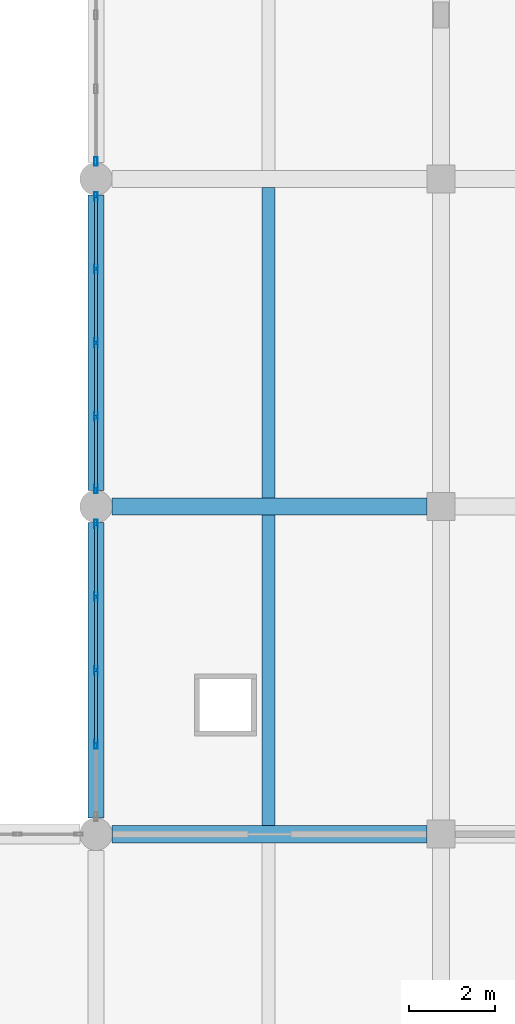
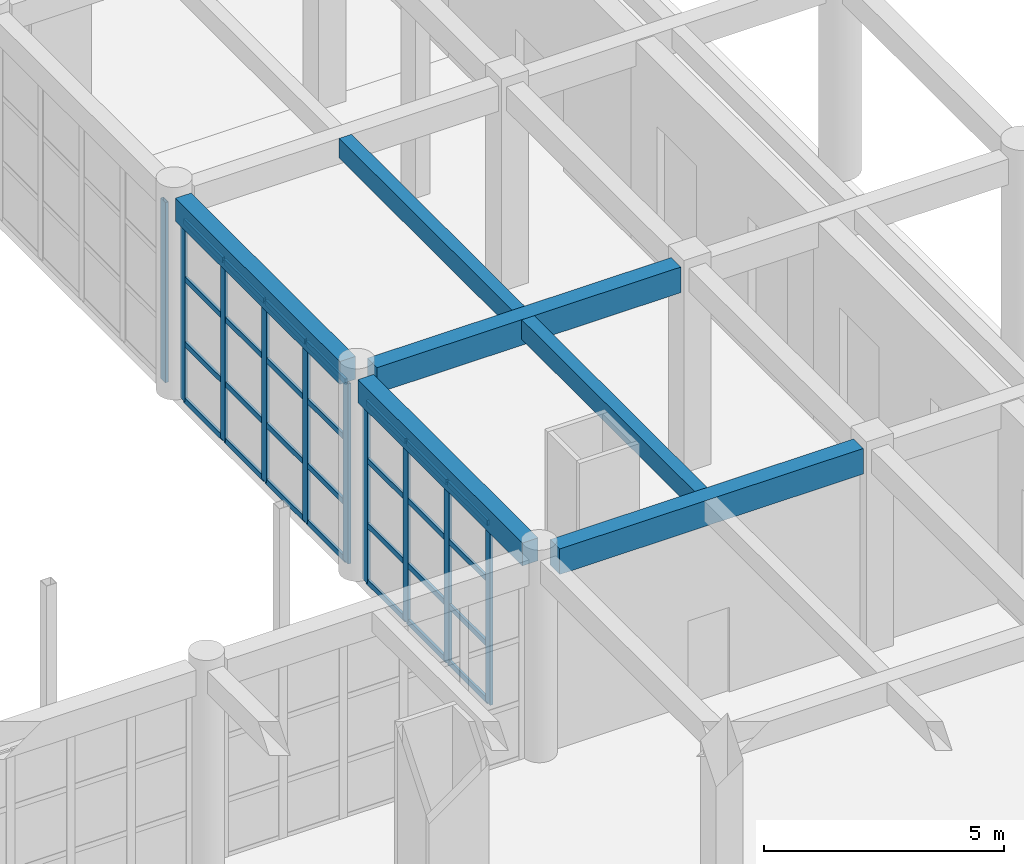
# One storey, part 51 of 95: 38 members, 6 beams, 3 elements without a shape of their own.
"""IFC4 building model written with IfcOpenShell, lengths in metres."""

from ifc_helpers import new_model, si_unit, direction, frame, origin, origin_2d, place, context, subcontext, project, spatial, rectangle, hollow_rectangle, extrude, material, material_profile, profile_set, type_object, element, aggregate, save


model = new_model("IFC4")

# Units and contexts
model_context = context("Model", 3, precision=1e-05, world=origin(), true_north=direction((0.0, 1.0)))
body_context = subcontext(model_context, "Body", "Model", "MODEL_VIEW")
ifc_project = project(units=[si_unit("LENGTHUNIT", "METRE"), si_unit("AREAUNIT", "SQUARE_METRE"), si_unit("VOLUMEUNIT", "CUBIC_METRE"), si_unit("PLANEANGLEUNIT", "RADIAN"), si_unit("MASSUNIT", "GRAM", prefix="KILO")], contexts=[model_context])

# Site, building, storey
site_placement = place(None, origin())
site = spatial("IfcSite", under=ifc_project, at=site_placement, CompositionType="ELEMENT")
building_placement = place(site_placement, origin())
building = spatial("IfcBuilding", under=site, at=building_placement, Name="Zantavel Square City Hall", CompositionType="ELEMENT")
storey_placement = place(building_placement, origin())
storey = spatial("IfcBuildingStorey", under=building, at=storey_placement, Name="L01", CompositionType="ELEMENT", Elevation=0.0)

# Beams
ifc_material_1 = material(Name="Concrete C35/45", Category="concrete")
ifc_material_profile_1 = material_profile(ifc_material_1, rectangle(XDim=0.3798828125, YDim=0.580078125, at=origin_2d()), Name="RC 380x580")
ifc_profile_set_1 = profile_set([ifc_material_profile_1], Name="Concrete C35/45")
beam_type_1 = type_object("IfcBeamType", Name="Annex Secondary Beam RC 380x580 C35/45", PredefinedType="BEAM", material=ifc_profile_set_1)
beam_1_placement = place(storey_placement, frame((152.0, 38.375, 4.8701171875), z_axis=(0.0, 1.0, 0.0), x_axis=(-1.0, 0.0, 0.0)))
element("IfcBeam", 1, at=beam_1_placement, inside=storey, type_object=beam_type_1, Name="L01 Beam BMY-L01-1520-0380", PredefinedType="BEAM", context=body_context, shape_type="SweptSolid", body=[
    extrude(rectangle(XDim=0.3798828125, YDim=0.580078125, at=origin_2d()), origin(), (0.0, 0.0, 1.0), 6.85009765625),
])
beam_2_placement = place(storey_placement, frame((152.0, 45.97509765625, 4.8701171875), z_axis=(0.0, 1.0, 0.0), x_axis=(-1.0, 0.0, 0.0)))
element("IfcBeam", 2, at=beam_2_placement, inside=storey, type_object=beam_type_1, Name="L01 Beam BMY-L01-1520-0456", PredefinedType="BEAM", context=body_context, shape_type="SweptSolid", body=[
    extrude(rectangle(XDim=0.3798828125, YDim=0.580078125, at=origin_2d()), origin(), (0.0, 0.0, 1.0), 6.849853515625),
])

# Curtain wall, members
ifc_material_2 = material(Name="Anodised aluminium 6063-T6", Category="aluminium")
curtain_wall_type = type_object("IfcCurtainWallType", Name="Curtain Wall CRT 6850x4580", PredefinedType="USERDEFINED", material=ifc_material_2)
curtain_wall_1_placement = place(storey_placement, origin())
curtain_wall_1 = element("IfcCurtainWall", 3, at=curtain_wall_1_placement, inside=storey, type_object=curtain_wall_type, Name="L01 Glazed Curtain Wall CW-L01-031", ObjectType="GLAZED CURTAIN WALL", PredefinedType="USERDEFINED")
ifc_material_profile_2 = material_profile(ifc_material_2, hollow_rectangle(XDim=0.070068359375, YDim=0.199951171875, WallThickness=0.00439453125, at=origin_2d()), Name="ALU 70x200x4.5")
ifc_profile_set_2 = profile_set([ifc_material_profile_2], Name="Anodised aluminium 6063-T6")
member_type_1 = type_object("IfcMemberType", Name="CW Heavy Hall Mullion ALU 70x200x4.5", PredefinedType="MULLION", material=ifc_profile_set_2)
member_1_placement = place(storey_placement, frame((152.0, 40.08740234375, 0.0), z_axis=(0.0, 0.0, 1.0), x_axis=(-1.0, 0.0, 0.0)))
member_1 = element("IfcMember", 4, at=member_1_placement, type_object=member_type_1, Name="CW-031 mullion 2", PredefinedType="MULLION", context=body_context, shape_type="SweptSolid", body=[
    extrude(hollow_rectangle(XDim=0.070068359375, YDim=0.199951171875, WallThickness=0.00439453125, at=origin_2d()), origin(), (0.0, 0.0, 1.0), 4.580078125),
])
member_2_placement = place(storey_placement, frame((152.0, 41.800048828125, 0.0), z_axis=(0.0, 0.0, 1.0), x_axis=(-1.0, 0.0, 0.0)))
member_2 = element("IfcMember", 5, at=member_2_placement, type_object=member_type_1, Name="CW-031 mullion 3", PredefinedType="MULLION", context=body_context, shape_type="SweptSolid", body=[
    extrude(hollow_rectangle(XDim=0.070068359375, YDim=0.199951171875, WallThickness=0.00439453125, at=origin_2d()), origin(), (0.0, 0.0, 1.0), 4.580078125),
])
member_3_placement = place(storey_placement, frame((152.0, 43.512451171875, 0.0), z_axis=(0.0, 0.0, 1.0), x_axis=(-1.0, 0.0, 0.0)))
member_3 = element("IfcMember", 6, at=member_3_placement, type_object=member_type_1, Name="CW-031 mullion 4", PredefinedType="MULLION", context=body_context, shape_type="SweptSolid", body=[
    extrude(hollow_rectangle(XDim=0.070068359375, YDim=0.199951171875, WallThickness=0.00439453125, at=origin_2d()), origin(), (0.0, 0.0, 1.0), 4.580078125),
])
member_4_placement = place(storey_placement, frame((152.0, 45.195068359375, 0.0), z_axis=(0.0, 0.0, 1.0), x_axis=(-1.0, 0.0, 0.0)))
member_4 = element("IfcMember", 7, at=member_4_placement, type_object=member_type_1, Name="CW-031 mullion 5", PredefinedType="MULLION", context=body_context, shape_type="SweptSolid", body=[
    extrude(hollow_rectangle(XDim=0.070068359375, YDim=0.199951171875, WallThickness=0.00439453125, at=origin_2d()), origin(), (0.0, 0.0, 1.0), 4.580078125),
])

curtain_wall_2_placement = place(storey_placement, origin())
curtain_wall_2 = element("IfcCurtainWall", 8, at=curtain_wall_2_placement, inside=storey, type_object=curtain_wall_type, Name="L01 Glazed Curtain Wall CW-L01-032", ObjectType="GLAZED CURTAIN WALL", PredefinedType="USERDEFINED")
member_5_placement = place(storey_placement, frame((152.0, 46.0048828125, 0.0), z_axis=(0.0, 0.0, 1.0), x_axis=(-1.0, 0.0, 0.0)))
member_5 = element("IfcMember", 9, at=member_5_placement, type_object=member_type_1, Name="CW-032 mullion 1", PredefinedType="MULLION", context=body_context, shape_type="SweptSolid", body=[
    extrude(hollow_rectangle(XDim=0.070068359375, YDim=0.199951171875, WallThickness=0.00439453125, at=origin_2d()), origin(), (0.0, 0.0, 1.0), 4.580078125),
])
member_6_placement = place(storey_placement, frame((152.0, 47.6875, 0.0), z_axis=(0.0, 0.0, 1.0), x_axis=(-1.0, 0.0, 0.0)))
member_6 = element("IfcMember", 10, at=member_6_placement, type_object=member_type_1, Name="CW-032 mullion 2", PredefinedType="MULLION", context=body_context, shape_type="SweptSolid", body=[
    extrude(hollow_rectangle(XDim=0.070068359375, YDim=0.199951171875, WallThickness=0.00439453125, at=origin_2d()), origin(), (0.0, 0.0, 1.0), 4.580078125),
])
member_7_placement = place(storey_placement, frame((152.0, 49.39990234375, 0.0), z_axis=(0.0, 0.0, 1.0), x_axis=(-1.0, 0.0, 0.0)))
member_7 = element("IfcMember", 11, at=member_7_placement, type_object=member_type_1, Name="CW-032 mullion 3", PredefinedType="MULLION", context=body_context, shape_type="SweptSolid", body=[
    extrude(hollow_rectangle(XDim=0.070068359375, YDim=0.199951171875, WallThickness=0.00439453125, at=origin_2d()), origin(), (0.0, 0.0, 1.0), 4.580078125),
])
member_8_placement = place(storey_placement, frame((152.0, 51.112548828125, 0.0), z_axis=(0.0, 0.0, 1.0), x_axis=(-1.0, 0.0, 0.0)))
member_8 = element("IfcMember", 12, at=member_8_placement, type_object=member_type_1, Name="CW-032 mullion 4", PredefinedType="MULLION", context=body_context, shape_type="SweptSolid", body=[
    extrude(hollow_rectangle(XDim=0.070068359375, YDim=0.199951171875, WallThickness=0.00439453125, at=origin_2d()), origin(), (0.0, 0.0, 1.0), 4.580078125),
])
member_9_placement = place(storey_placement, frame((152.0, 52.794921875, 0.0), z_axis=(0.0, 0.0, 1.0), x_axis=(-1.0, 0.0, 0.0)))
member_9 = element("IfcMember", 13, at=member_9_placement, type_object=member_type_1, Name="CW-032 mullion 5", PredefinedType="MULLION", context=body_context, shape_type="SweptSolid", body=[
    extrude(hollow_rectangle(XDim=0.070068359375, YDim=0.199951171875, WallThickness=0.00439453125, at=origin_2d()), origin(), (0.0, 0.0, 1.0), 4.580078125),
])

# Curtain wall, member
curtain_wall_3_placement = place(storey_placement, origin())
curtain_wall_3 = element("IfcCurtainWall", 14, at=curtain_wall_3_placement, inside=storey, type_object=curtain_wall_type, Name="L01 Glazed Curtain Wall CW-L01-033", ObjectType="GLAZED CURTAIN WALL", PredefinedType="USERDEFINED")
member_10_placement = place(storey_placement, frame((152.0, 53.60498046875, 0.0), z_axis=(0.0, 0.0, 1.0), x_axis=(-1.0, 0.0, 0.0)))
member_10 = element("IfcMember", 15, at=member_10_placement, type_object=member_type_1, Name="CW-033 mullion 1", PredefinedType="MULLION", context=body_context, shape_type="SweptSolid", body=[
    extrude(hollow_rectangle(XDim=0.070068359375, YDim=0.199951171875, WallThickness=0.00439453125, at=origin_2d()), origin(), (0.0, 0.0, 1.0), 4.580078125),
])
aggregate(curtain_wall_3, [member_10])

# Member
ifc_material_profile_3 = material_profile(ifc_material_2, hollow_rectangle(XDim=0.06005859375, YDim=0.139892578125, WallThickness=0.00390625, at=origin_2d()), Name="ALU 60x140x4")
ifc_profile_set_3 = profile_set([ifc_material_profile_3], Name="Anodised aluminium 6063-T6")
member_type_2 = type_object("IfcMemberType", Name="CW Transom ALU 60x140x4", PredefinedType="USERDEFINED", material=ifc_profile_set_3)
member_11_placement = place(storey_placement, frame((152.0, 40.117431640625, 0.030029296875), z_axis=(0.0, 1.0, 0.0), x_axis=(-1.0, 0.0, 0.0)))
member_11 = element("IfcMember", 16, at=member_11_placement, type_object=member_type_2, Name="CW-031 transom 2.1", ObjectType="TRANSOM", PredefinedType="USERDEFINED", context=body_context, shape_type="SweptSolid", body=[
    extrude(hollow_rectangle(XDim=0.06005859375, YDim=0.139892578125, WallThickness=0.00390625, at=origin_2d()), origin(), (0.0, 0.0, 1.0), 1.652587890625),
])

member_12_placement = place(storey_placement, frame((152.0, 40.117431640625, 1.466064453125), z_axis=(0.0, 1.0, 0.0), x_axis=(-1.0, 0.0, 0.0)))
member_12 = element("IfcMember", 17, at=member_12_placement, type_object=member_type_2, Name="CW-031 transom 2.2", ObjectType="TRANSOM", PredefinedType="USERDEFINED", context=body_context, shape_type="SweptSolid", body=[
    extrude(hollow_rectangle(XDim=0.06005859375, YDim=0.139892578125, WallThickness=0.00390625, at=origin_2d()), origin(), (0.0, 0.0, 1.0), 1.652587890625),
])

member_13_placement = place(storey_placement, frame((152.0, 40.117431640625, 3.114013671875), z_axis=(0.0, 1.0, 0.0), x_axis=(-1.0, 0.0, 0.0)))
member_13 = element("IfcMember", 18, at=member_13_placement, type_object=member_type_2, Name="CW-031 transom 2.3", ObjectType="TRANSOM", PredefinedType="USERDEFINED", context=body_context, shape_type="SweptSolid", body=[
    extrude(hollow_rectangle(XDim=0.06005859375, YDim=0.139892578125, WallThickness=0.00390625, at=origin_2d()), origin(), (0.0, 0.0, 1.0), 1.652587890625),
])

member_14_placement = place(storey_placement, frame((152.0, 40.117431640625, 4.550048828125), z_axis=(0.0, 1.0, 0.0), x_axis=(-1.0, 0.0, 0.0)))
member_14 = element("IfcMember", 19, at=member_14_placement, type_object=member_type_2, Name="CW-031 transom 2.4", ObjectType="TRANSOM", PredefinedType="USERDEFINED", context=body_context, shape_type="SweptSolid", body=[
    extrude(hollow_rectangle(XDim=0.06005859375, YDim=0.139892578125, WallThickness=0.00390625, at=origin_2d()), origin(), (0.0, 0.0, 1.0), 1.652587890625),
])

member_15_placement = place(storey_placement, frame((152.0, 41.830078125, 0.030029296875), z_axis=(0.0, 1.0, 0.0), x_axis=(-1.0, 0.0, 0.0)))
member_15 = element("IfcMember", 20, at=member_15_placement, type_object=member_type_2, Name="CW-031 transom 3.1", ObjectType="TRANSOM", PredefinedType="USERDEFINED", context=body_context, shape_type="SweptSolid", body=[
    extrude(hollow_rectangle(XDim=0.06005859375, YDim=0.139892578125, WallThickness=0.00390625, at=origin_2d()), origin(), (0.0, 0.0, 1.0), 1.65234375),
])

member_16_placement = place(storey_placement, frame((152.0, 41.830078125, 1.466064453125), z_axis=(0.0, 1.0, 0.0), x_axis=(-1.0, 0.0, 0.0)))
member_16 = element("IfcMember", 21, at=member_16_placement, type_object=member_type_2, Name="CW-031 transom 3.2", ObjectType="TRANSOM", PredefinedType="USERDEFINED", context=body_context, shape_type="SweptSolid", body=[
    extrude(hollow_rectangle(XDim=0.06005859375, YDim=0.139892578125, WallThickness=0.00390625, at=origin_2d()), origin(), (0.0, 0.0, 1.0), 1.65234375),
])

member_17_placement = place(storey_placement, frame((152.0, 41.830078125, 3.114013671875), z_axis=(0.0, 1.0, 0.0), x_axis=(-1.0, 0.0, 0.0)))
member_17 = element("IfcMember", 22, at=member_17_placement, type_object=member_type_2, Name="CW-031 transom 3.3", ObjectType="TRANSOM", PredefinedType="USERDEFINED", context=body_context, shape_type="SweptSolid", body=[
    extrude(hollow_rectangle(XDim=0.06005859375, YDim=0.139892578125, WallThickness=0.00390625, at=origin_2d()), origin(), (0.0, 0.0, 1.0), 1.65234375),
])

member_18_placement = place(storey_placement, frame((152.0, 41.830078125, 4.550048828125), z_axis=(0.0, 1.0, 0.0), x_axis=(-1.0, 0.0, 0.0)))
member_18 = element("IfcMember", 23, at=member_18_placement, type_object=member_type_2, Name="CW-031 transom 3.4", ObjectType="TRANSOM", PredefinedType="USERDEFINED", context=body_context, shape_type="SweptSolid", body=[
    extrude(hollow_rectangle(XDim=0.06005859375, YDim=0.139892578125, WallThickness=0.00390625, at=origin_2d()), origin(), (0.0, 0.0, 1.0), 1.65234375),
])

member_19_placement = place(storey_placement, frame((152.0, 43.54248046875, 0.030029296875), z_axis=(0.0, 1.0, 0.0), x_axis=(-1.0, 0.0, 0.0)))
member_19 = element("IfcMember", 24, at=member_19_placement, type_object=member_type_2, Name="CW-031 transom 4.1", ObjectType="TRANSOM", PredefinedType="USERDEFINED", context=body_context, shape_type="SweptSolid", body=[
    extrude(hollow_rectangle(XDim=0.06005859375, YDim=0.139892578125, WallThickness=0.00390625, at=origin_2d()), origin(), (0.0, 0.0, 1.0), 1.62255859375),
])

member_20_placement = place(storey_placement, frame((152.0, 43.54248046875, 1.466064453125), z_axis=(0.0, 1.0, 0.0), x_axis=(-1.0, 0.0, 0.0)))
member_20 = element("IfcMember", 25, at=member_20_placement, type_object=member_type_2, Name="CW-031 transom 4.2", ObjectType="TRANSOM", PredefinedType="USERDEFINED", context=body_context, shape_type="SweptSolid", body=[
    extrude(hollow_rectangle(XDim=0.06005859375, YDim=0.139892578125, WallThickness=0.00390625, at=origin_2d()), origin(), (0.0, 0.0, 1.0), 1.62255859375),
])

member_21_placement = place(storey_placement, frame((152.0, 43.54248046875, 3.114013671875), z_axis=(0.0, 1.0, 0.0), x_axis=(-1.0, 0.0, 0.0)))
member_21 = element("IfcMember", 26, at=member_21_placement, type_object=member_type_2, Name="CW-031 transom 4.3", ObjectType="TRANSOM", PredefinedType="USERDEFINED", context=body_context, shape_type="SweptSolid", body=[
    extrude(hollow_rectangle(XDim=0.06005859375, YDim=0.139892578125, WallThickness=0.00390625, at=origin_2d()), origin(), (0.0, 0.0, 1.0), 1.62255859375),
])

member_22_placement = place(storey_placement, frame((152.0, 43.54248046875, 4.550048828125), z_axis=(0.0, 1.0, 0.0), x_axis=(-1.0, 0.0, 0.0)))
member_22 = element("IfcMember", 27, at=member_22_placement, type_object=member_type_2, Name="CW-031 transom 4.4", ObjectType="TRANSOM", PredefinedType="USERDEFINED", context=body_context, shape_type="SweptSolid", body=[
    extrude(hollow_rectangle(XDim=0.06005859375, YDim=0.139892578125, WallThickness=0.00390625, at=origin_2d()), origin(), (0.0, 0.0, 1.0), 1.62255859375),
])

aggregate(curtain_wall_1, [member_1, member_2, member_3, member_4, member_11, member_12, member_13, member_14, member_15, member_16, member_17, member_18, member_19, member_20, member_21, member_22])

member_23_placement = place(storey_placement, frame((152.0, 46.034912109375, 0.030029296875), z_axis=(0.0, 1.0, 0.0), x_axis=(-1.0, 0.0, 0.0)))
member_23 = element("IfcMember", 28, at=member_23_placement, type_object=member_type_2, Name="CW-032 transom 1.1", ObjectType="TRANSOM", PredefinedType="USERDEFINED", context=body_context, shape_type="SweptSolid", body=[
    extrude(hollow_rectangle(XDim=0.06005859375, YDim=0.139892578125, WallThickness=0.00390625, at=origin_2d()), origin(), (0.0, 0.0, 1.0), 1.62255859375),
])

member_24_placement = place(storey_placement, frame((152.0, 46.034912109375, 1.466064453125), z_axis=(0.0, 1.0, 0.0), x_axis=(-1.0, 0.0, 0.0)))
member_24 = element("IfcMember", 29, at=member_24_placement, type_object=member_type_2, Name="CW-032 transom 1.2", ObjectType="TRANSOM", PredefinedType="USERDEFINED", context=body_context, shape_type="SweptSolid", body=[
    extrude(hollow_rectangle(XDim=0.06005859375, YDim=0.139892578125, WallThickness=0.00390625, at=origin_2d()), origin(), (0.0, 0.0, 1.0), 1.62255859375),
])

member_25_placement = place(storey_placement, frame((152.0, 46.034912109375, 3.114013671875), z_axis=(0.0, 1.0, 0.0), x_axis=(-1.0, 0.0, 0.0)))
member_25 = element("IfcMember", 30, at=member_25_placement, type_object=member_type_2, Name="CW-032 transom 1.3", ObjectType="TRANSOM", PredefinedType="USERDEFINED", context=body_context, shape_type="SweptSolid", body=[
    extrude(hollow_rectangle(XDim=0.06005859375, YDim=0.139892578125, WallThickness=0.00390625, at=origin_2d()), origin(), (0.0, 0.0, 1.0), 1.62255859375),
])

member_26_placement = place(storey_placement, frame((152.0, 46.034912109375, 4.550048828125), z_axis=(0.0, 1.0, 0.0), x_axis=(-1.0, 0.0, 0.0)))
member_26 = element("IfcMember", 31, at=member_26_placement, type_object=member_type_2, Name="CW-032 transom 1.4", ObjectType="TRANSOM", PredefinedType="USERDEFINED", context=body_context, shape_type="SweptSolid", body=[
    extrude(hollow_rectangle(XDim=0.06005859375, YDim=0.139892578125, WallThickness=0.00390625, at=origin_2d()), origin(), (0.0, 0.0, 1.0), 1.62255859375),
])

member_27_placement = place(storey_placement, frame((152.0, 47.717529296875, 0.030029296875), z_axis=(0.0, 1.0, 0.0), x_axis=(-1.0, 0.0, 0.0)))
member_27 = element("IfcMember", 32, at=member_27_placement, type_object=member_type_2, Name="CW-032 transom 2.1", ObjectType="TRANSOM", PredefinedType="USERDEFINED", context=body_context, shape_type="SweptSolid", body=[
    extrude(hollow_rectangle(XDim=0.06005859375, YDim=0.139892578125, WallThickness=0.00390625, at=origin_2d()), origin(), (0.0, 0.0, 1.0), 1.652587890625),
])

member_28_placement = place(storey_placement, frame((152.0, 47.717529296875, 1.466064453125), z_axis=(0.0, 1.0, 0.0), x_axis=(-1.0, 0.0, 0.0)))
member_28 = element("IfcMember", 33, at=member_28_placement, type_object=member_type_2, Name="CW-032 transom 2.2", ObjectType="TRANSOM", PredefinedType="USERDEFINED", context=body_context, shape_type="SweptSolid", body=[
    extrude(hollow_rectangle(XDim=0.06005859375, YDim=0.139892578125, WallThickness=0.00390625, at=origin_2d()), origin(), (0.0, 0.0, 1.0), 1.652587890625),
])

member_29_placement = place(storey_placement, frame((152.0, 47.717529296875, 3.114013671875), z_axis=(0.0, 1.0, 0.0), x_axis=(-1.0, 0.0, 0.0)))
member_29 = element("IfcMember", 34, at=member_29_placement, type_object=member_type_2, Name="CW-032 transom 2.3", ObjectType="TRANSOM", PredefinedType="USERDEFINED", context=body_context, shape_type="SweptSolid", body=[
    extrude(hollow_rectangle(XDim=0.06005859375, YDim=0.139892578125, WallThickness=0.00390625, at=origin_2d()), origin(), (0.0, 0.0, 1.0), 1.652587890625),
])

member_30_placement = place(storey_placement, frame((152.0, 47.717529296875, 4.550048828125), z_axis=(0.0, 1.0, 0.0), x_axis=(-1.0, 0.0, 0.0)))
member_30 = element("IfcMember", 35, at=member_30_placement, type_object=member_type_2, Name="CW-032 transom 2.4", ObjectType="TRANSOM", PredefinedType="USERDEFINED", context=body_context, shape_type="SweptSolid", body=[
    extrude(hollow_rectangle(XDim=0.06005859375, YDim=0.139892578125, WallThickness=0.00390625, at=origin_2d()), origin(), (0.0, 0.0, 1.0), 1.652587890625),
])

member_31_placement = place(storey_placement, frame((152.0, 49.429931640625, 0.030029296875), z_axis=(0.0, 1.0, 0.0), x_axis=(-1.0, 0.0, 0.0)))
member_31 = element("IfcMember", 36, at=member_31_placement, type_object=member_type_2, Name="CW-032 transom 3.1", ObjectType="TRANSOM", PredefinedType="USERDEFINED", context=body_context, shape_type="SweptSolid", body=[
    extrude(hollow_rectangle(XDim=0.06005859375, YDim=0.139892578125, WallThickness=0.00390625, at=origin_2d()), origin(), (0.0, 0.0, 1.0), 1.652587890625),
])

member_32_placement = place(storey_placement, frame((152.0, 49.429931640625, 1.466064453125), z_axis=(0.0, 1.0, 0.0), x_axis=(-1.0, 0.0, 0.0)))
member_32 = element("IfcMember", 37, at=member_32_placement, type_object=member_type_2, Name="CW-032 transom 3.2", ObjectType="TRANSOM", PredefinedType="USERDEFINED", context=body_context, shape_type="SweptSolid", body=[
    extrude(hollow_rectangle(XDim=0.06005859375, YDim=0.139892578125, WallThickness=0.00390625, at=origin_2d()), origin(), (0.0, 0.0, 1.0), 1.652587890625),
])

member_33_placement = place(storey_placement, frame((152.0, 49.429931640625, 3.114013671875), z_axis=(0.0, 1.0, 0.0), x_axis=(-1.0, 0.0, 0.0)))
member_33 = element("IfcMember", 38, at=member_33_placement, type_object=member_type_2, Name="CW-032 transom 3.3", ObjectType="TRANSOM", PredefinedType="USERDEFINED", context=body_context, shape_type="SweptSolid", body=[
    extrude(hollow_rectangle(XDim=0.06005859375, YDim=0.139892578125, WallThickness=0.00390625, at=origin_2d()), origin(), (0.0, 0.0, 1.0), 1.652587890625),
])

member_34_placement = place(storey_placement, frame((152.0, 49.429931640625, 4.550048828125), z_axis=(0.0, 1.0, 0.0), x_axis=(-1.0, 0.0, 0.0)))
member_34 = element("IfcMember", 39, at=member_34_placement, type_object=member_type_2, Name="CW-032 transom 3.4", ObjectType="TRANSOM", PredefinedType="USERDEFINED", context=body_context, shape_type="SweptSolid", body=[
    extrude(hollow_rectangle(XDim=0.06005859375, YDim=0.139892578125, WallThickness=0.00390625, at=origin_2d()), origin(), (0.0, 0.0, 1.0), 1.652587890625),
])

member_35_placement = place(storey_placement, frame((152.0, 51.142578125, 0.030029296875), z_axis=(0.0, 1.0, 0.0), x_axis=(-1.0, 0.0, 0.0)))
member_35 = element("IfcMember", 40, at=member_35_placement, type_object=member_type_2, Name="CW-032 transom 4.1", ObjectType="TRANSOM", PredefinedType="USERDEFINED", context=body_context, shape_type="SweptSolid", body=[
    extrude(hollow_rectangle(XDim=0.06005859375, YDim=0.139892578125, WallThickness=0.00390625, at=origin_2d()), origin(), (0.0, 0.0, 1.0), 1.622314453125),
])

member_36_placement = place(storey_placement, frame((152.0, 51.142578125, 1.466064453125), z_axis=(0.0, 1.0, 0.0), x_axis=(-1.0, 0.0, 0.0)))
member_36 = element("IfcMember", 41, at=member_36_placement, type_object=member_type_2, Name="CW-032 transom 4.2", ObjectType="TRANSOM", PredefinedType="USERDEFINED", context=body_context, shape_type="SweptSolid", body=[
    extrude(hollow_rectangle(XDim=0.06005859375, YDim=0.139892578125, WallThickness=0.00390625, at=origin_2d()), origin(), (0.0, 0.0, 1.0), 1.622314453125),
])

member_37_placement = place(storey_placement, frame((152.0, 51.142578125, 3.114013671875), z_axis=(0.0, 1.0, 0.0), x_axis=(-1.0, 0.0, 0.0)))
member_37 = element("IfcMember", 42, at=member_37_placement, type_object=member_type_2, Name="CW-032 transom 4.3", ObjectType="TRANSOM", PredefinedType="USERDEFINED", context=body_context, shape_type="SweptSolid", body=[
    extrude(hollow_rectangle(XDim=0.06005859375, YDim=0.139892578125, WallThickness=0.00390625, at=origin_2d()), origin(), (0.0, 0.0, 1.0), 1.622314453125),
])

member_38_placement = place(storey_placement, frame((152.0, 51.142578125, 4.550048828125), z_axis=(0.0, 1.0, 0.0), x_axis=(-1.0, 0.0, 0.0)))
member_38 = element("IfcMember", 43, at=member_38_placement, type_object=member_type_2, Name="CW-032 transom 4.4", ObjectType="TRANSOM", PredefinedType="USERDEFINED", context=body_context, shape_type="SweptSolid", body=[
    extrude(hollow_rectangle(XDim=0.06005859375, YDim=0.139892578125, WallThickness=0.00390625, at=origin_2d()), origin(), (0.0, 0.0, 1.0), 1.622314453125),
])

aggregate(curtain_wall_2, [member_5, member_6, member_7, member_8, member_9, member_23, member_24, member_25, member_26, member_27, member_28, member_29, member_30, member_31, member_32, member_33, member_34, member_35, member_36, member_37, member_38])

# Beams
ifc_material_profile_4 = material_profile(ifc_material_1, rectangle(XDim=0.300048828125, YDim=0.5, at=origin_2d()), Name="RC 300x500")
ifc_profile_set_4 = profile_set([ifc_material_profile_4], Name="Concrete C35/45")
beam_type_2 = type_object("IfcBeamType", Name="Floor Joist RC 300x500 C35/45", PredefinedType="JOIST", material=ifc_profile_set_4)
for number, where, z_axis, x_axis, name in (
    (44, (156.0, 38.199951171875, 4.909912109375), (0.0, 1.0, 0.0), (-1.0, 0.0, 0.0), "L01 Floor Joist JST-L01-1560-0380"),
    (45, (156.0, 45.800048828125, 4.909912109375), (0.0, 1.0, 0.0), (-1.0, 0.0, 0.0), "L01 Floor Joist JST-L01-1560-0456"),
):
    element("IfcBeam", number, at=place(storey_placement, frame(where, z_axis=z_axis, x_axis=x_axis)), inside=storey, type_object=beam_type_2, Name=name, PredefinedType="JOIST", context=body_context, shape_type="SweptSolid", body=[
        extrude(rectangle(XDim=0.300048828125, YDim=0.5, at=origin_2d()), origin(), (0.0, 0.0, 1.0), 7.199951171875),
    ])
ifc_material_profile_5 = material_profile(ifc_material_1, rectangle(XDim=0.39990234375, YDim=0.64990234375, at=origin_2d()), Name="RC 400x650")
ifc_profile_set_5 = profile_set([ifc_material_profile_5], Name="Concrete C35/45")
beam_type_3 = type_object("IfcBeamType", Name="Frame Beam RC 400x650 C35/45", PredefinedType="BEAM", material=ifc_profile_set_5)
for number, where, z_axis, x_axis, name in (
    (46, (152.375, 38.0, 4.8349609375), (1.0, 0.0, 0.0), (0.0, 1.0, 0.0), "L01 Girder BMX-L01-1520-0380"),
    (47, (152.375, 45.60009765625, 4.8349609375), (1.0, 0.0, 0.0), (0.0, 1.0, 0.0), "L01 Girder BMX-L01-1520-0456"),
):
    element("IfcBeam", number, at=place(storey_placement, frame(where, z_axis=z_axis, x_axis=x_axis)), inside=storey, type_object=beam_type_3, Name=name, PredefinedType="BEAM", context=body_context, shape_type="SweptSolid", body=[
        extrude(rectangle(XDim=0.39990234375, YDim=0.64990234375, at=origin_2d()), origin(), (0.0, 0.0, 1.0), 7.300048828125),
    ])

save(model, "model.ifc")
